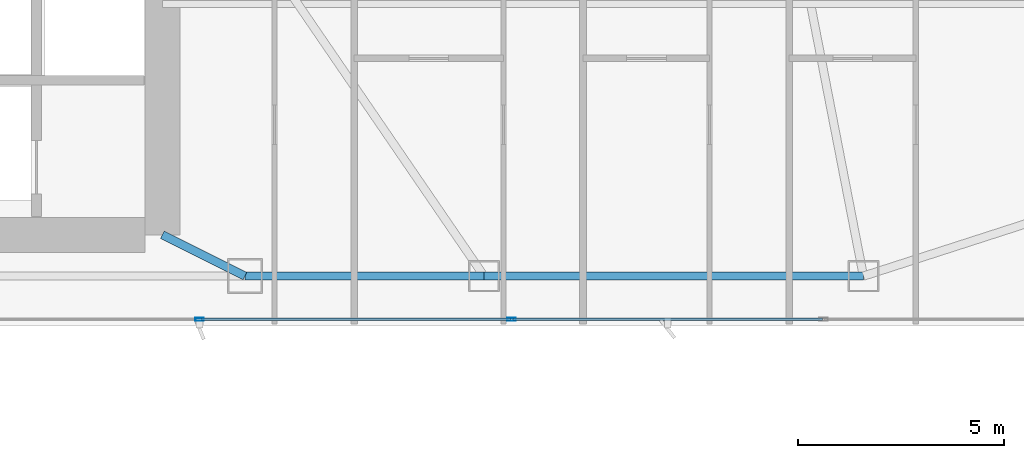
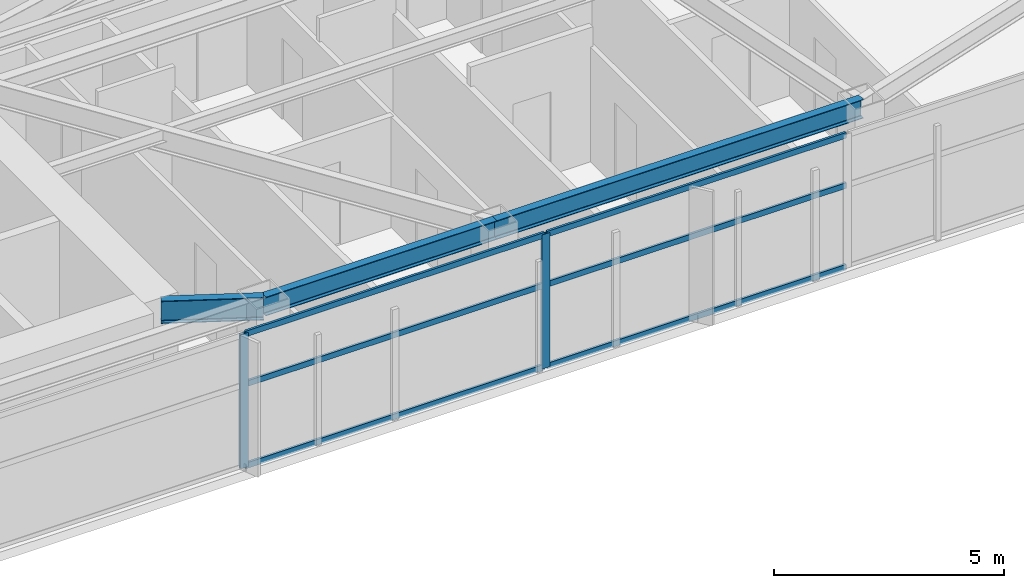
# One storey, part 12 of 29: 8 members, 3 beams, 1 element without a shape of its own.
"""IFC4 building model written with IfcOpenShell, lengths in metres."""

import ifcopenshell
import ifcopenshell.guid

model = None  # the IFC model being written
_history = None  # IfcOwnerHistory: only IFC2X3 demands one
_inside = {}  # id of a spatial element -> (the spatial element, [elements in it])
_under = {}  # id of a project, library or spatial element -> (it, [spatial elements below it])
_declared = {}  # id of a project -> (the project, [libraries it declares])
_typed = {}  # id of a type object -> (the type object, [elements of that type])
_made_of = {}  # id of a material, layer set ... -> (it, [elements and type objects made of it])


def new_model(schema):
    """Start an empty IFC model of exactly this schema.

    Asked for "IFC4X3", IfcOpenShell would pick the latest addendum, in which some entities
    have other attributes; the version numbers below select the first issue.
    IFC2X3 requires an IfcOwnerHistory on every rooted entity: one is made here for all.
    """
    global model, _history
    if schema == "IFC4X3":
        model = ifcopenshell.file(schema_version=(4, 3, 0, 0))
    else:
        model = ifcopenshell.file(schema=schema)
    _inside.clear()
    _under.clear()
    _declared.clear()
    _typed.clear()
    _made_of.clear()
    _history = None
    if model.schema == "IFC2X3":
        org = make("IfcOrganization", Name="unknown")
        user = make(
            "IfcPersonAndOrganization",
            ThePerson=make("IfcPerson", FamilyName="unknown"),
            TheOrganization=org,
        )
        app = make(
            "IfcApplication",
            ApplicationDeveloper=org,
            Version="unknown",
            ApplicationFullName="unknown",
            ApplicationIdentifier="unknown",
        )
        _history = make(
            "IfcOwnerHistory",
            OwningUser=user,
            OwningApplication=app,
            ChangeAction="ADDED",
            CreationDate=0,
        )
    return model


def make(cls, **values):
    """One entity of the class cls with the attributes given. An attribute that is None is left unset."""
    return model.create_entity(
        cls, **{name: value for name, value in values.items() if value is not None}
    )


def rooted(cls, **values):
    """An entity with a GlobalId (a new one), such as an element, a storey or a relation."""
    return make(cls, GlobalId=ifcopenshell.guid.new(), OwnerHistory=_history, **values)


def si_unit(unit_type, name, prefix=None):
    """IfcSIUnit, for example si_unit("LENGTHUNIT", "METRE", prefix="MILLI")."""
    return make("IfcSIUnit", UnitType=unit_type, Prefix=prefix, Name=name)


def assignment(units):
    """IfcUnitAssignment: the units of a project."""
    return None if units is None else make("IfcUnitAssignment", Units=units)


def point(xyz):
    """IfcCartesianPoint."""
    return None if xyz is None else make("IfcCartesianPoint", Coordinates=xyz)


def direction(xyz):
    """IfcDirection."""
    return None if xyz is None else make("IfcDirection", DirectionRatios=xyz)


def frame(location, z_axis=None, x_axis=None):
    """IfcAxis2Placement3D, a coordinate frame: its origin and axes. An axis left out is left unset."""
    return make(
        "IfcAxis2Placement3D",
        Location=point(location),
        Axis=direction(z_axis),
        RefDirection=direction(x_axis),
    )


def frame_2d(location, x_axis=None):
    """IfcAxis2Placement2D, a coordinate frame in the plane: its origin and x axis."""
    return make(
        "IfcAxis2Placement2D", Location=point(location), RefDirection=direction(x_axis)
    )


def origin():
    """The frame at (0, 0, 0) with its axes left unset."""
    return frame((0.0, 0.0, 0.0))


def origin_2d():
    """The frame at (0, 0) in the plane with its x axis left unset."""
    return frame_2d((0.0, 0.0))


def place(relative_to, where):
    """IfcLocalPlacement: puts the frame where relative to a parent placement (None: the world)."""
    return make(
        "IfcLocalPlacement", PlacementRelTo=relative_to, RelativePlacement=where
    )


def context(
    kind, dimensions, precision=None, world=None, true_north=None, identifier=None
):
    """IfcGeometricRepresentationContext, for example the 3D "Model" context."""
    return make(
        "IfcGeometricRepresentationContext",
        ContextIdentifier=identifier,
        ContextType=kind,
        CoordinateSpaceDimension=dimensions,
        Precision=precision,
        WorldCoordinateSystem=world,
        TrueNorth=true_north,
    )


def subcontext(parent, identifier, kind, view, scale=None):
    """IfcGeometricRepresentationSubContext, for example "Body" below "Model"."""
    return make(
        "IfcGeometricRepresentationSubContext",
        ContextIdentifier=identifier,
        ContextType=kind,
        ParentContext=parent,
        TargetScale=scale,
        TargetView=view,
    )


def project(units=None, contexts=None):
    """IfcProject with its units and contexts."""
    return rooted(
        "IfcProject",
        Name="project",
        RepresentationContexts=contexts,
        UnitsInContext=assignment(units),
    )


def spatial(cls, under=None, at=None, **own):
    """A site, building, storey or space (cls), placed at a placement, below another one or the project."""
    s = rooted(cls, ObjectPlacement=at, **own)
    if under is not None:
        _under.setdefault(under.id(), (under, []))[1].append(s)
    return s


def profile(cls, at=None, kind="AREA", **sizes):
    """A parametric profile (cls). Its sizes go by their IFC names, for example OverallWidth=200.0."""
    return make(cls, ProfileType=kind, Position=at, **sizes)


def hollow_rectangle(**sizes):
    """IfcRectangleHollowProfileDef."""
    return profile("IfcRectangleHollowProfileDef", **sizes)


def i_section(**sizes):
    """IfcIShapeProfileDef."""
    return profile("IfcIShapeProfileDef", **sizes)


def extrude(swept, where, along, depth):
    """IfcExtrudedAreaSolid: the profile swept, set in the frame where, extruded along a direction by depth."""
    return make(
        "IfcExtrudedAreaSolid",
        SweptArea=swept,
        Position=where,
        ExtrudedDirection=direction(along),
        Depth=depth,
    )


def shape(context_of_items, identifier, shape_type, items):
    """IfcShapeRepresentation: the items that make up one representation, for example the "Body"."""
    return make(
        "IfcShapeRepresentation",
        ContextOfItems=context_of_items,
        RepresentationIdentifier=identifier,
        RepresentationType=shape_type,
        Items=items,
    )


def material(Name=None, Category=None):
    """IfcMaterial."""
    return make("IfcMaterial", Name=Name, Category=Category)


def layer(
    of_material, thickness, ventilated=None, Name=None, Category=None, Priority=None
):
    """IfcMaterialLayer: one layer of a wall or slab, of a material (None: an air gap)."""
    return make(
        "IfcMaterialLayer",
        Material=of_material,
        LayerThickness=thickness,
        IsVentilated=ventilated,
        Name=Name,
        Category=Category,
        Priority=Priority,
    )


def layer_set(layers, Name=None):
    """IfcMaterialLayerSet."""
    return make("IfcMaterialLayerSet", MaterialLayers=layers, LayerSetName=Name)


def material_profile(
    of_material, cross_section, Name=None, Category=None, Priority=None
):
    """IfcMaterialProfile: a cross section and its material."""
    return make(
        "IfcMaterialProfile",
        Name=Name,
        Material=of_material,
        Profile=cross_section,
        Priority=Priority,
        Category=Category,
    )


def profile_set(profiles, Name=None, composite=None):
    """IfcMaterialProfileSet."""
    return make(
        "IfcMaterialProfileSet",
        Name=Name,
        MaterialProfiles=profiles,
        CompositeProfile=composite,
    )


def made_of(thing, what):
    """Note that an element or type object is made of a material, layer set ...; save() writes the relation."""
    if what is not None:
        _made_of.setdefault(what.id(), (what, []))[1].append(thing)
    return thing


def type_object(cls, material=None, **own):
    """A type object (cls), such as IfcWallType, which elements share."""
    return made_of(rooted(cls, **own), material)


def element(
    cls,
    number,
    at=None,
    inside=None,
    cuts=None,
    type_object=None,
    material=None,
    context=None,
    identifier="Body",
    shape_type=None,
    held_by="IfcProductDefinitionShape",
    body=None,
    shapes=None,
    **own,
):
    """One element of the class cls, such as IfcWall. Its Tag is "e" and its number.

    at: its placement. inside: the storey or other place that contains it. cuts: it is an
    opening in that element (IfcRelVoidsElement). A single representation is given by context,
    identifier, shape_type and body (its items); several are given by shapes. held_by: the class
    of the entity that holds the representations. save() writes the other relations.
    """
    e = rooted(cls, Tag="e%d" % number, ObjectPlacement=at, **own)
    if body is not None:
        shapes = [shape(context, identifier, shape_type, body)]
    if shapes is not None:
        e.Representation = make(held_by, Representations=shapes)
    if inside is not None:
        _inside.setdefault(inside.id(), (inside, []))[1].append(e)
    if cuts is not None:
        rooted(
            "IfcRelVoidsElement", RelatingBuildingElement=cuts, RelatedOpeningElement=e
        )
    if type_object is not None:
        _typed.setdefault(type_object.id(), (type_object, []))[1].append(e)
    return made_of(e, material)


def aggregate(whole, parts):
    """IfcRelAggregates: a whole, such as a stair, and the parts it consists of."""
    return rooted("IfcRelAggregates", RelatingObject=whole, RelatedObjects=parts)


def save(model, path):
    """Write the relations noted so far, then the file.

    IfcRelAggregates (storeys below a building ...), IfcRelContainedInSpatialStructure (elements
    in a storey), IfcRelDefinesByType, IfcRelAssociatesMaterial and IfcRelDeclares: one each for
    every whole, place, type object, material and project.
    """
    for whole, parts in _under.values():
        aggregate(whole, parts)
    for where, things in _inside.values():
        rooted(
            "IfcRelContainedInSpatialStructure",
            RelatedElements=things,
            RelatingStructure=where,
        )
    for kind, things in _typed.values():
        rooted("IfcRelDefinesByType", RelatedObjects=things, RelatingType=kind)
    for what, things in _made_of.values():
        rooted("IfcRelAssociatesMaterial", RelatedObjects=things, RelatingMaterial=what)
    for by, libraries in _declared.values():
        rooted("IfcRelDeclares", RelatingContext=by, RelatedDefinitions=libraries)
    model.write(path)


model = new_model("IFC4")

# Units and contexts
model_context = context("Model", 3, precision=1e-05, world=origin(), true_north=direction((0.0, 1.0)))
body_context = subcontext(model_context, "Body", "Model", "MODEL_VIEW")
ifc_project = project(units=[si_unit("LENGTHUNIT", "METRE"), si_unit("AREAUNIT", "SQUARE_METRE"), si_unit("VOLUMEUNIT", "CUBIC_METRE"), si_unit("PLANEANGLEUNIT", "RADIAN"), si_unit("MASSUNIT", "GRAM", prefix="KILO")], contexts=[model_context])

# Site, building, storey
site_placement = place(None, origin())
site = spatial("IfcSite", under=ifc_project, at=site_placement, CompositionType="ELEMENT")
building_placement = place(site_placement, origin())
building = spatial("IfcBuilding", under=site, at=building_placement, Name="Calvorn Quay Hotel", CompositionType="ELEMENT")
storey_placement = place(building_placement, frame((0.0, 0.0, 171.300048828125)))
storey = spatial("IfcBuildingStorey", under=building, at=storey_placement, Name="L42", CompositionType="ELEMENT", Elevation=171.300048828125)

# Beams
ifc_material_1 = material(Name="Steel Q355B", Category="steel")
ifc_material_profile_1 = material_profile(ifc_material_1, i_section(OverallWidth=0.199951171875, OverallDepth=0.60009765625, WebThickness=0.010986328125, FlangeThickness=0.01708984375, FilletRadius=0.01806640625, at=origin_2d()), Name="HN600x200x11x17")
ifc_profile_set_1 = profile_set([ifc_material_profile_1], Name="Steel Q355B")
beam_type_1 = type_object("IfcBeamType", Name="BM-GIRD-TYP", PredefinedType="BEAM", material=ifc_profile_set_1)
beam_1_placement = place(storey_placement, frame((34.39990234375, 3.60009765625, 3.239990234375), z_axis=(-0.894427191, 0.4472135955, 0.0), x_axis=(-0.4472135955, -0.894427191, 0.0)))
element("IfcBeam", 1, at=beam_1_placement, inside=storey, type_object=beam_type_1, Name="Beam BG-L42-S3", PredefinedType="BEAM", context=body_context, shape_type="SweptSolid", body=[
    extrude(i_section(OverallWidth=0.199951171875, OverallDepth=0.60009765625, WebThickness=0.010986328125, FlangeThickness=0.01708984375, FilletRadius=0.01806640625, at=origin_2d()), origin(), (0.0, 0.0, 1.0), 2.236083984375),
])
ifc_material_2 = material(Name="Steel Q355B", Category="steel")
ifc_material_profile_2 = material_profile(ifc_material_2, i_section(OverallWidth=0.199951171875, OverallDepth=0.5, WebThickness=0.010009765625, FlangeThickness=0.01611328125, FilletRadius=0.01611328125, at=origin_2d()), Name="HN500x200x10x16")
ifc_profile_set_2 = profile_set([ifc_material_profile_2], Name="Steel Q355B")
beam_type_2 = type_object("IfcBeamType", Name="BM-SPANDREL-Z1", PredefinedType="SPANDREL", material=ifc_profile_set_2)
beam_2_placement = place(storey_placement, frame((34.39990234375, 3.60009765625, 3.2900390625), z_axis=(1.0, 0.0, 0.0), x_axis=(0.0, 1.0, 0.0)))
element("IfcBeam", 2, at=beam_2_placement, inside=storey, type_object=beam_type_2, Name="Beam BSP-L42-S4", PredefinedType="SPANDREL", context=body_context, shape_type="SweptSolid", body=[
    extrude(i_section(OverallWidth=0.199951171875, OverallDepth=0.5, WebThickness=0.010009765625, FlangeThickness=0.01611328125, FilletRadius=0.01611328125, at=origin_2d()), origin(), (0.0, 0.0, 1.0), 5.800048828125),
])
beam_3_placement = place(storey_placement, frame((40.199951171875, 3.60009765625, 3.2900390625), z_axis=(1.0, 0.0, 0.0), x_axis=(0.0, 1.0, 0.0)))
element("IfcBeam", 3, at=beam_3_placement, inside=storey, type_object=beam_type_2, Name="Beam BSP-L42-S5", PredefinedType="SPANDREL", context=body_context, shape_type="SweptSolid", body=[
    extrude(i_section(OverallWidth=0.199951171875, OverallDepth=0.5, WebThickness=0.010009765625, FlangeThickness=0.01611328125, FilletRadius=0.01611328125, at=origin_2d()), origin(), (0.0, 0.0, 1.0), 9.199951171875),
])

# Curtain wall, members
ifc_material_3 = material(Name="Pale Anodised Aluminium and Low-E Glass", Category="aluminium")
ifc_layer = layer(ifc_material_3, 0.219970703125)
ifc_layer_set = layer_set([ifc_layer], Name="CW-SYS-Z2")
curtain_wall_type = type_object("IfcCurtainWallType", Name="CW-SYS-Z2", PredefinedType="NOTDEFINED", material=ifc_layer_set)
curtain_wall_placement = place(storey_placement, origin())
curtain_wall = element("IfcCurtainWall", 4, at=curtain_wall_placement, inside=storey, type_object=curtain_wall_type, Name="Tower South Waterfront Curtain Wall (L42)", PredefinedType="NOTDEFINED")
ifc_material_4 = material(Name="Pale Anodised Aluminium 6063-T6", Category="aluminium")
ifc_material_profile_3 = material_profile(ifc_material_4, hollow_rectangle(XDim=0.070068359375, YDim=0.199951171875, WallThickness=0.00390625, at=origin_2d()), Name="ALU-M200x70x4")
ifc_profile_set_3 = profile_set([ifc_material_profile_3], Name="Pale Anodised Aluminium 6063-T6")
member_type_1 = type_object("IfcMemberType", Name="CW-SYS-Z2-MUL", PredefinedType="MULLION", material=ifc_profile_set_3)
member_1_placement = place(storey_placement, frame((33.300048828125, 2.550048828125, 0.0), z_axis=(0.0, 0.0, 1.0), x_axis=(0.0, 1.0, 0.0)))
member_1 = element("IfcMember", 5, at=member_1_placement, type_object=member_type_1, Name="CW-L42-S mullion 4", PredefinedType="MULLION", context=body_context, shape_type="SweptSolid", body=[
    extrude(hollow_rectangle(XDim=0.070068359375, YDim=0.199951171875, WallThickness=0.00390625, at=origin_2d()), origin(), (0.0, 0.0, 1.0), 3.56005859375),
])
member_2_placement = place(storey_placement, frame((40.86669921875, 2.550048828125, 0.0), z_axis=(0.0, 0.0, 1.0), x_axis=(0.0, 1.0, 0.0)))
member_2 = element("IfcMember", 6, at=member_2_placement, type_object=member_type_1, Name="CW-L42-S mullion 5", PredefinedType="MULLION", context=body_context, shape_type="SweptSolid", body=[
    extrude(hollow_rectangle(XDim=0.070068359375, YDim=0.199951171875, WallThickness=0.00390625, at=origin_2d()), origin(), (0.0, 0.0, 1.0), 3.56005859375),
])
ifc_material_5 = material(Name="Pale Anodised Aluminium 6063-T6", Category="aluminium")
ifc_material_profile_4 = material_profile(ifc_material_5, hollow_rectangle(XDim=0.06005859375, YDim=0.14990234375, WallThickness=0.00341796875, at=origin_2d()), Name="ALU-T150x60x3.5")
ifc_profile_set_4 = profile_set([ifc_material_profile_4], Name="Pale Anodised Aluminium 6063-T6")
member_type_2 = type_object("IfcMemberType", Name="CW-SYS-Z2-TRN", PredefinedType="USERDEFINED", material=ifc_profile_set_4)
member_3_placement = place(storey_placement, frame((33.330078125, 2.550048828125, 0.030029296875), z_axis=(1.0, 0.0, 0.0), x_axis=(0.0, 1.0, 0.0)))
member_3 = element("IfcMember", 7, at=member_3_placement, type_object=member_type_2, Name="CW-L42-S transom 4.1", ObjectType="TRANSOM", PredefinedType="USERDEFINED", context=body_context, shape_type="SweptSolid", body=[
    extrude(hollow_rectangle(XDim=0.06005859375, YDim=0.14990234375, WallThickness=0.00341796875, at=origin_2d()), origin(), (0.0, 0.0, 1.0), 7.506591796875),
])
member_4_placement = place(storey_placement, frame((33.330078125, 2.550048828125, 2.199951171875), z_axis=(1.0, 0.0, 0.0), x_axis=(0.0, 1.0, 0.0)))
member_4 = element("IfcMember", 8, at=member_4_placement, type_object=member_type_2, Name="CW-L42-S transom 4.2", ObjectType="TRANSOM", PredefinedType="USERDEFINED", context=body_context, shape_type="SweptSolid", body=[
    extrude(hollow_rectangle(XDim=0.06005859375, YDim=0.14990234375, WallThickness=0.00341796875, at=origin_2d()), origin(), (0.0, 0.0, 1.0), 7.506591796875),
])
member_5_placement = place(storey_placement, frame((33.330078125, 2.550048828125, 3.530029296875), z_axis=(1.0, 0.0, 0.0), x_axis=(0.0, 1.0, 0.0)))
member_5 = element("IfcMember", 9, at=member_5_placement, type_object=member_type_2, Name="CW-L42-S transom 4.3", ObjectType="TRANSOM", PredefinedType="USERDEFINED", context=body_context, shape_type="SweptSolid", body=[
    extrude(hollow_rectangle(XDim=0.06005859375, YDim=0.14990234375, WallThickness=0.00341796875, at=origin_2d()), origin(), (0.0, 0.0, 1.0), 7.506591796875),
])
member_6_placement = place(storey_placement, frame((40.896728515625, 2.550048828125, 0.030029296875), z_axis=(1.0, 0.0, 0.0), x_axis=(0.0, 1.0, 0.0)))
member_6 = element("IfcMember", 10, at=member_6_placement, type_object=member_type_2, Name="CW-L42-S transom 5.1", ObjectType="TRANSOM", PredefinedType="USERDEFINED", context=body_context, shape_type="SweptSolid", body=[
    extrude(hollow_rectangle(XDim=0.06005859375, YDim=0.14990234375, WallThickness=0.00341796875, at=origin_2d()), origin(), (0.0, 0.0, 1.0), 7.506591796875),
])
member_7_placement = place(storey_placement, frame((40.896728515625, 2.550048828125, 2.199951171875), z_axis=(1.0, 0.0, 0.0), x_axis=(0.0, 1.0, 0.0)))
member_7 = element("IfcMember", 11, at=member_7_placement, type_object=member_type_2, Name="CW-L42-S transom 5.2", ObjectType="TRANSOM", PredefinedType="USERDEFINED", context=body_context, shape_type="SweptSolid", body=[
    extrude(hollow_rectangle(XDim=0.06005859375, YDim=0.14990234375, WallThickness=0.00341796875, at=origin_2d()), origin(), (0.0, 0.0, 1.0), 7.506591796875),
])
member_8_placement = place(storey_placement, frame((40.896728515625, 2.550048828125, 3.530029296875), z_axis=(1.0, 0.0, 0.0), x_axis=(0.0, 1.0, 0.0)))
member_8 = element("IfcMember", 12, at=member_8_placement, type_object=member_type_2, Name="CW-L42-S transom 5.3", ObjectType="TRANSOM", PredefinedType="USERDEFINED", context=body_context, shape_type="SweptSolid", body=[
    extrude(hollow_rectangle(XDim=0.06005859375, YDim=0.14990234375, WallThickness=0.00341796875, at=origin_2d()), origin(), (0.0, 0.0, 1.0), 7.506591796875),
])
aggregate(curtain_wall, [member_1, member_2, member_3, member_4, member_5, member_6, member_7, member_8])

save(model, "model.ifc")
